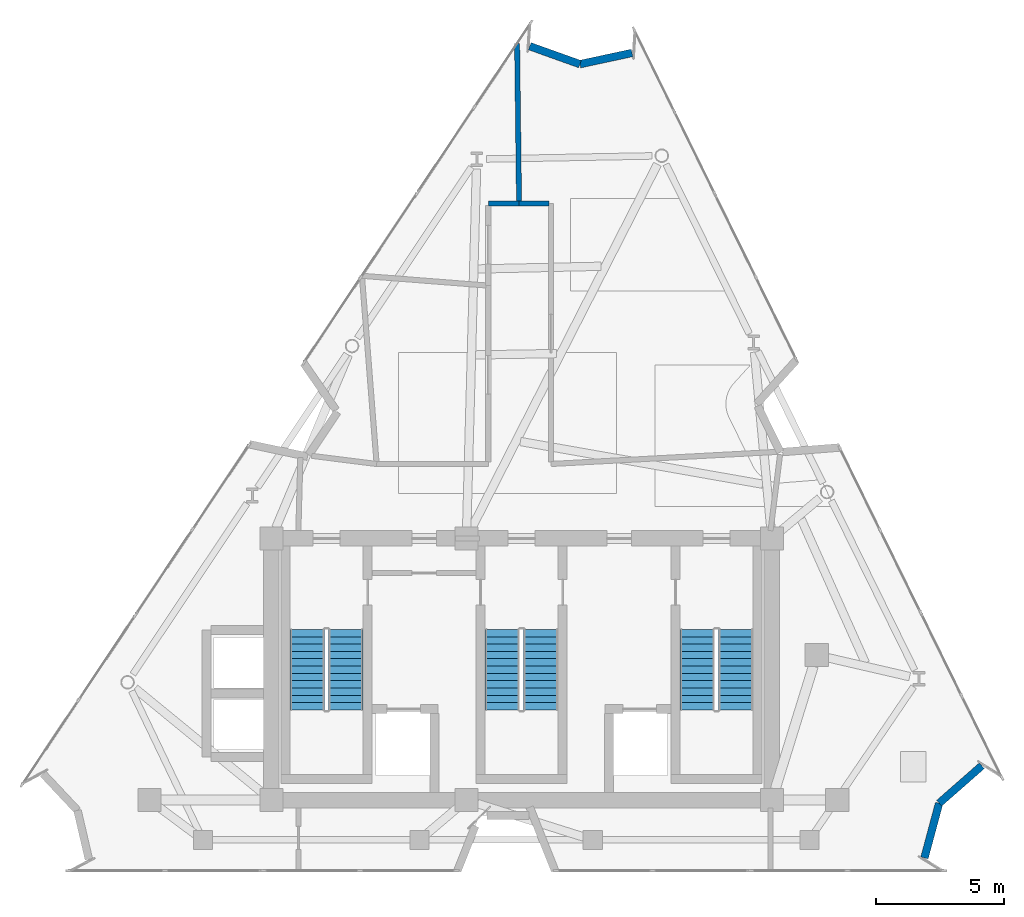
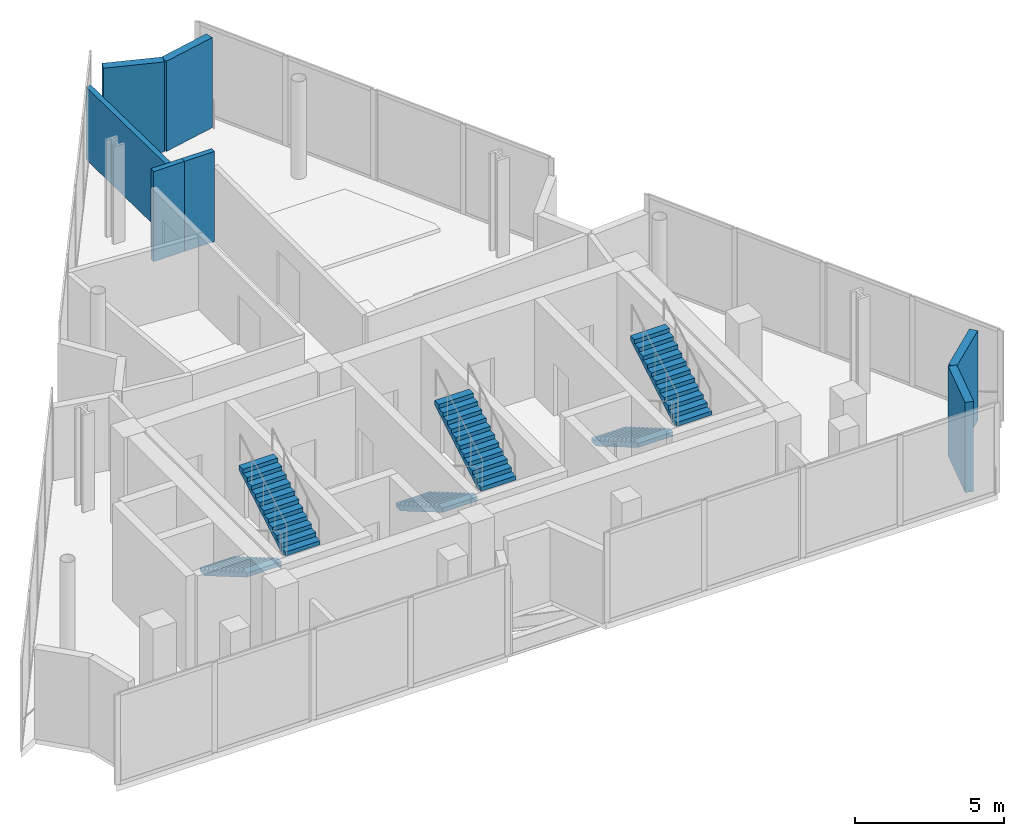
# One storey, part 7 of 9: 7 walls, 6 stair flights, 3 elements without a shape of their own.
"""IFC4 building model written with IfcOpenShell, lengths in metres."""

from ifc_helpers import new_model, si_unit, direction, frame, frame_2d, origin, place, context, subcontext, project, spatial, polyline, rectangle, outline, extrude, material, layer, layer_set, type_object, element, aggregate, save


model = new_model("IFC4")

# Units and contexts
model_context = context("Model", 3, precision=1e-05, world=origin(), true_north=direction((0.0, 1.0)))
body_context = subcontext(model_context, "Body", "Model", "MODEL_VIEW")
ifc_project = project(units=[si_unit("LENGTHUNIT", "METRE"), si_unit("AREAUNIT", "SQUARE_METRE"), si_unit("VOLUMEUNIT", "CUBIC_METRE"), si_unit("PLANEANGLEUNIT", "RADIAN"), si_unit("MASSUNIT", "GRAM", prefix="KILO")], contexts=[model_context])

# Site, building, storey
site_placement = place(None, origin())
site = spatial("IfcSite", under=ifc_project, at=site_placement, CompositionType="ELEMENT")
building_placement = place(site_placement, origin())
building = spatial("IfcBuilding", under=site, at=building_placement, Name="Almagre Mirador Tower", CompositionType="ELEMENT")
storey_placement = place(building_placement, frame((0.0, 0.0, 298.5)))
storey = spatial("IfcBuildingStorey", under=building, at=storey_placement, Name="L77", CompositionType="ELEMENT", Elevation=298.5)

# Walls
ifc_material_1 = material(Name="Precast concrete C50/60", Category="concrete")
ifc_layer_1 = layer(ifc_material_1, 0.300048828125)
ifc_layer_set_1 = layer_set([ifc_layer_1], Name="Precast concrete C50/60")
wall_type_1 = type_object("IfcWallType", Name="WAL-EXT-300", PredefinedType="SOLIDWALL", material=ifc_layer_set_1)
wall_1_placement = place(storey_placement, frame((37.616943359375, 33.929931640625, 0.0), z_axis=(0.0, 0.0, 1.0), x_axis=(0.941683396202, -0.336500195123, 0.0)))
element("IfcWall", 1, at=wall_1_placement, inside=storey, type_object=wall_type_1, Name="L77 expressed almagre precast frame wall 04", PredefinedType="SOLIDWALL", context=body_context, shape_type="SweptSolid", body=[
    extrude(rectangle(XDim=2.0771484375, YDim=0.300048828125, at=frame_2d((1.03857421875, 0.0))), origin(), (0.0, 0.0, 1.0), 3.699951171875),
])
wall_2_placement = place(storey_placement, frame((39.572998046875, 33.23095703125, 0.0), z_axis=(0.0, 0.0, 1.0), x_axis=(0.977604114456, 0.210452358975, 0.0)))
element("IfcWall", 2, at=wall_2_placement, inside=storey, type_object=wall_type_1, Name="L77 expressed almagre precast frame wall 05", PredefinedType="SOLIDWALL", context=body_context, shape_type="SweptSolid", body=[
    extrude(rectangle(XDim=2.076416015625, YDim=0.300048828125, at=frame_2d((1.0380859375, 0.0))), origin(), (0.0, 0.0, 1.0), 3.699951171875),
])
wall_3_placement = place(storey_placement, frame((55.23291015625, 5.888916015625, 0.0), z_axis=(0.0, 0.0, 1.0), x_axis=(-0.75173412529, -0.659466303062, 0.0)))
element("IfcWall", 3, at=wall_3_placement, inside=storey, type_object=wall_type_1, Name="L77 expressed almagre precast frame wall 09", PredefinedType="SOLIDWALL", context=body_context, shape_type="SweptSolid", body=[
    extrude(rectangle(XDim=2.20947265625, YDim=0.300048828125, at=frame_2d((1.104736328125, 0.0))), origin(), (0.0, 0.0, 1.0), 3.699951171875),
])
wall_4_placement = place(storey_placement, frame((53.572021484375, 4.431884765625, 0.0), z_axis=(0.0, 0.0, 1.0), x_axis=(-0.259870406569, -0.965643501397, 0.0)))
element("IfcWall", 4, at=wall_4_placement, inside=storey, type_object=wall_type_1, Name="L77 expressed almagre precast frame wall 10", PredefinedType="SOLIDWALL", context=body_context, shape_type="SweptSolid", body=[
    extrude(rectangle(XDim=2.208740234375, YDim=0.300048828125, at=frame_2d((1.1044921875, 0.0))), origin(), (0.0, 0.0, 1.0), 3.699951171875),
])
ifc_material_2 = material(Name="Gypsum acoustic stud partition", Category="other")
ifc_layer_2 = layer(ifc_material_2, 0.199951171875)
ifc_layer_set_2 = layer_set([ifc_layer_2], Name="Gypsum acoustic stud partition")
wall_type_2 = type_object("IfcWallType", Name="WAL-PRT-200-EI60", PredefinedType="PARTITIONING", material=ifc_layer_set_2)
wall_5_placement = place(storey_placement, frame((37.199951171875, 27.800048828125, 0.0), z_axis=(0.0, 0.0, 1.0), x_axis=(-1.0, 0.0, 0.0)))
element("IfcWall", 5, at=wall_5_placement, inside=storey, type_object=wall_type_2, Name="L77 interior partition 009", PredefinedType="PARTITIONING", context=body_context, shape_type="SweptSolid", body=[
    extrude(rectangle(XDim=1.199951171875, YDim=0.199951171875, at=frame_2d((0.60009765625, 0.0))), origin(), (0.0, 0.0, 1.0), 3.699951171875),
])
wall_6_placement = place(storey_placement, frame((38.364990234375, 27.800048828125, 0.0), z_axis=(0.0, 0.0, 1.0), x_axis=(-1.0, 0.0, 0.0)))
element("IfcWall", 6, at=wall_6_placement, inside=storey, type_object=wall_type_2, Name="L77 interior partition 014", PredefinedType="PARTITIONING", context=body_context, shape_type="SweptSolid", body=[
    extrude(rectangle(XDim=1.1650390625, YDim=0.199951171875, at=frame_2d((0.58251953125, 0.0))), origin(), (0.0, 0.0, 1.0), 3.699951171875),
])
wall_7_placement = place(storey_placement, frame((37.198974609375, 27.885009765625, 0.0), z_axis=(0.0, 0.0, 1.0), x_axis=(-0.012174390166, 0.999925889366, 0.0)))
element("IfcWall", 7, at=wall_7_placement, inside=storey, type_object=wall_type_2, Name="L77 interior partition 015", PredefinedType="PARTITIONING", context=body_context, shape_type="SweptSolid", body=[
    extrude(rectangle(XDim=6.156494140625, YDim=0.199951171875, at=frame_2d((3.078125, 0.0))), origin(), (0.0, 0.0, 1.0), 2.97705078125),
])

# Stair, stair flights
ifc_material_3 = material(Name="Concrete C45/55", Category="concrete")
stair_type = type_object("IfcStairType", Name="STR-DL-4000", PredefinedType="HALF_TURN_STAIR", material=ifc_material_3)
stair_1_placement = place(storey_placement, origin())
stair_1 = element("IfcStair", 8, at=stair_1_placement, inside=storey, type_object=stair_type, Name="L77 Protected exit stair ST-1", PredefinedType="HALF_TURN_STAIR")
ifc_material_4 = material(Name="Concrete C45/55", Category="concrete")
stair_flight_type = type_object("IfcStairFlightType", Name="FLT-DL-4000", PredefinedType="STRAIGHT", material=ifc_material_4)
stair_flight_1_placement = place(storey_placement, frame((28.949951171875, 11.199951171875, 0.0), z_axis=(0.0, 0.0, 1.0), x_axis=(0.0, -1.0, 0.0)))
stair_flight_1 = element("IfcStairFlight", 9, at=stair_flight_1_placement, type_object=stair_flight_type, Name="ST-1 flight 1", NumberOfRisers=12, NumberOfTreads=11, PredefinedType="STRAIGHT", RiserHeight=0.166666667, TreadLength=0.285, context=body_context, shape_type="SweptSolid", body=[
    extrude(outline(polyline([(0.0, 0.0), (0.0, 0.166748046875), (0.284912109375, 0.166748046875), (0.284912109375, 0.333251953125), (0.570068359375, 0.333251953125), (0.570068359375, 0.5), (0.85498046875, 0.5), (0.85498046875, 0.666748046875), (1.139892578125, 0.666748046875), (1.139892578125, 0.833251953125), (1.425048828125, 0.833251953125), (1.425048828125, 1.0), (1.7099609375, 1.0), (1.7099609375, 1.166748046875), (1.9951171875, 1.166748046875), (1.9951171875, 1.333251953125), (2.280029296875, 1.333251953125), (2.280029296875, 1.5), (2.56494140625, 1.5), (2.56494140625, 1.666748046875), (2.85009765625, 1.666748046875), (2.85009765625, 1.833251953125), (3.135009765625, 1.833251953125), (3.135009765625, 2.0), (3.135009765625, 1.65966796875), (0.296875, 0.0), (0.0, 0.0)])), frame((0.0, 0.675048828125, 0.0), z_axis=(0.0, -1.0, 0.0), x_axis=(1.0, 0.0, 0.0)), (0.0, 0.0, 1.0), 1.35009765625),
])
stair_flight_2_placement = place(storey_placement, frame((30.449951171875, 8.06494140625, 2.0), z_axis=(0.0, 0.0, 1.0), x_axis=(0.0, 1.0, 0.0)))
stair_flight_2 = element("IfcStairFlight", 10, at=stair_flight_2_placement, type_object=stair_flight_type, Name="ST-1 flight 2", NumberOfRisers=12, NumberOfTreads=11, PredefinedType="STRAIGHT", RiserHeight=0.166666667, TreadLength=0.285, context=body_context, shape_type="SweptSolid", body=[
    extrude(outline(polyline([(0.0, 0.0), (0.0, 0.166748046875), (0.284912109375, 0.166748046875), (0.284912109375, 0.333251953125), (0.570068359375, 0.333251953125), (0.570068359375, 0.5), (0.85498046875, 0.5), (0.85498046875, 0.666748046875), (1.139892578125, 0.666748046875), (1.139892578125, 0.833251953125), (1.425048828125, 0.833251953125), (1.425048828125, 1.0), (1.7099609375, 1.0), (1.7099609375, 1.166748046875), (1.9951171875, 1.166748046875), (1.9951171875, 1.333251953125), (2.280029296875, 1.333251953125), (2.280029296875, 1.5), (2.56494140625, 1.5), (2.56494140625, 1.666748046875), (2.85009765625, 1.666748046875), (2.85009765625, 1.833251953125), (3.135009765625, 1.833251953125), (3.135009765625, 2.0), (3.135009765625, 1.65966796875), (0.296875, 0.0), (0.0, 0.0)])), frame((0.0, 0.675048828125, 0.0), z_axis=(0.0, -1.0, 0.0), x_axis=(1.0, 0.0, 0.0)), (0.0, 0.0, 1.0), 1.35009765625),
])
aggregate(stair_1, [stair_flight_1, stair_flight_2])

stair_2_placement = place(storey_placement, origin())
stair_2 = element("IfcStair", 11, at=stair_2_placement, inside=storey, type_object=stair_type, Name="L77 Protected exit stair ST-2", PredefinedType="HALF_TURN_STAIR")
stair_flight_3_placement = place(storey_placement, frame((36.550048828125, 11.199951171875, 0.0), z_axis=(0.0, 0.0, 1.0), x_axis=(0.0, -1.0, 0.0)))
stair_flight_3 = element("IfcStairFlight", 12, at=stair_flight_3_placement, type_object=stair_flight_type, Name="ST-2 flight 1", NumberOfRisers=12, NumberOfTreads=11, PredefinedType="STRAIGHT", RiserHeight=0.166666667, TreadLength=0.285, context=body_context, shape_type="SweptSolid", body=[
    extrude(outline(polyline([(0.0, 0.0), (0.0, 0.166748046875), (0.284912109375, 0.166748046875), (0.284912109375, 0.333251953125), (0.570068359375, 0.333251953125), (0.570068359375, 0.5), (0.85498046875, 0.5), (0.85498046875, 0.666748046875), (1.139892578125, 0.666748046875), (1.139892578125, 0.833251953125), (1.425048828125, 0.833251953125), (1.425048828125, 1.0), (1.7099609375, 1.0), (1.7099609375, 1.166748046875), (1.9951171875, 1.166748046875), (1.9951171875, 1.333251953125), (2.280029296875, 1.333251953125), (2.280029296875, 1.5), (2.56494140625, 1.5), (2.56494140625, 1.666748046875), (2.85009765625, 1.666748046875), (2.85009765625, 1.833251953125), (3.135009765625, 1.833251953125), (3.135009765625, 2.0), (3.135009765625, 1.65966796875), (0.296875, 0.0), (0.0, 0.0)])), frame((0.0, 0.675048828125, 0.0), z_axis=(0.0, -1.0, 0.0), x_axis=(1.0, 0.0, 0.0)), (0.0, 0.0, 1.0), 1.35009765625),
])
stair_flight_4_placement = place(storey_placement, frame((38.050048828125, 8.06494140625, 2.0), z_axis=(0.0, 0.0, 1.0), x_axis=(0.0, 1.0, 0.0)))
stair_flight_4 = element("IfcStairFlight", 13, at=stair_flight_4_placement, type_object=stair_flight_type, Name="ST-2 flight 2", NumberOfRisers=12, NumberOfTreads=11, PredefinedType="STRAIGHT", RiserHeight=0.166666667, TreadLength=0.285, context=body_context, shape_type="SweptSolid", body=[
    extrude(outline(polyline([(0.0, 0.0), (0.0, 0.166748046875), (0.284912109375, 0.166748046875), (0.284912109375, 0.333251953125), (0.570068359375, 0.333251953125), (0.570068359375, 0.5), (0.85498046875, 0.5), (0.85498046875, 0.666748046875), (1.139892578125, 0.666748046875), (1.139892578125, 0.833251953125), (1.425048828125, 0.833251953125), (1.425048828125, 1.0), (1.7099609375, 1.0), (1.7099609375, 1.166748046875), (1.9951171875, 1.166748046875), (1.9951171875, 1.333251953125), (2.280029296875, 1.333251953125), (2.280029296875, 1.5), (2.56494140625, 1.5), (2.56494140625, 1.666748046875), (2.85009765625, 1.666748046875), (2.85009765625, 1.833251953125), (3.135009765625, 1.833251953125), (3.135009765625, 2.0), (3.135009765625, 1.65966796875), (0.296875, 0.0), (0.0, 0.0)])), frame((0.0, 0.675048828125, 0.0), z_axis=(0.0, -1.0, 0.0), x_axis=(1.0, 0.0, 0.0)), (0.0, 0.0, 1.0), 1.35009765625),
])
aggregate(stair_2, [stair_flight_3, stair_flight_4])

stair_3_placement = place(storey_placement, origin())
stair_3 = element("IfcStair", 14, at=stair_3_placement, inside=storey, type_object=stair_type, Name="L77 Protected exit stair ST-3", PredefinedType="HALF_TURN_STAIR")
stair_flight_5_placement = place(storey_placement, frame((44.14990234375, 11.199951171875, 0.0), z_axis=(0.0, 0.0, 1.0), x_axis=(0.0, -1.0, 0.0)))
stair_flight_5 = element("IfcStairFlight", 15, at=stair_flight_5_placement, type_object=stair_flight_type, Name="ST-3 flight 1", NumberOfRisers=12, NumberOfTreads=11, PredefinedType="STRAIGHT", RiserHeight=0.166666667, TreadLength=0.285, context=body_context, shape_type="SweptSolid", body=[
    extrude(outline(polyline([(0.0, 0.0), (0.0, 0.166748046875), (0.284912109375, 0.166748046875), (0.284912109375, 0.333251953125), (0.570068359375, 0.333251953125), (0.570068359375, 0.5), (0.85498046875, 0.5), (0.85498046875, 0.666748046875), (1.139892578125, 0.666748046875), (1.139892578125, 0.833251953125), (1.425048828125, 0.833251953125), (1.425048828125, 1.0), (1.7099609375, 1.0), (1.7099609375, 1.166748046875), (1.9951171875, 1.166748046875), (1.9951171875, 1.333251953125), (2.280029296875, 1.333251953125), (2.280029296875, 1.5), (2.56494140625, 1.5), (2.56494140625, 1.666748046875), (2.85009765625, 1.666748046875), (2.85009765625, 1.833251953125), (3.135009765625, 1.833251953125), (3.135009765625, 2.0), (3.135009765625, 1.65966796875), (0.296875, 0.0), (0.0, 0.0)])), frame((0.0, 0.675048828125, 0.0), z_axis=(0.0, -1.0, 0.0), x_axis=(1.0, 0.0, 0.0)), (0.0, 0.0, 1.0), 1.35009765625),
])
stair_flight_6_placement = place(storey_placement, frame((45.64990234375, 8.06494140625, 2.0), z_axis=(0.0, 0.0, 1.0), x_axis=(0.0, 1.0, 0.0)))
stair_flight_6 = element("IfcStairFlight", 16, at=stair_flight_6_placement, type_object=stair_flight_type, Name="ST-3 flight 2", NumberOfRisers=12, NumberOfTreads=11, PredefinedType="STRAIGHT", RiserHeight=0.166666667, TreadLength=0.285, context=body_context, shape_type="SweptSolid", body=[
    extrude(outline(polyline([(0.0, 0.0), (0.0, 0.166748046875), (0.284912109375, 0.166748046875), (0.284912109375, 0.333251953125), (0.570068359375, 0.333251953125), (0.570068359375, 0.5), (0.85498046875, 0.5), (0.85498046875, 0.666748046875), (1.139892578125, 0.666748046875), (1.139892578125, 0.833251953125), (1.425048828125, 0.833251953125), (1.425048828125, 1.0), (1.7099609375, 1.0), (1.7099609375, 1.166748046875), (1.9951171875, 1.166748046875), (1.9951171875, 1.333251953125), (2.280029296875, 1.333251953125), (2.280029296875, 1.5), (2.56494140625, 1.5), (2.56494140625, 1.666748046875), (2.85009765625, 1.666748046875), (2.85009765625, 1.833251953125), (3.135009765625, 1.833251953125), (3.135009765625, 2.0), (3.135009765625, 1.65966796875), (0.296875, 0.0), (0.0, 0.0)])), frame((0.0, 0.675048828125, 0.0), z_axis=(0.0, -1.0, 0.0), x_axis=(1.0, 0.0, 0.0)), (0.0, 0.0, 1.0), 1.35009765625),
])
aggregate(stair_3, [stair_flight_5, stair_flight_6])

save(model, "model.ifc")
